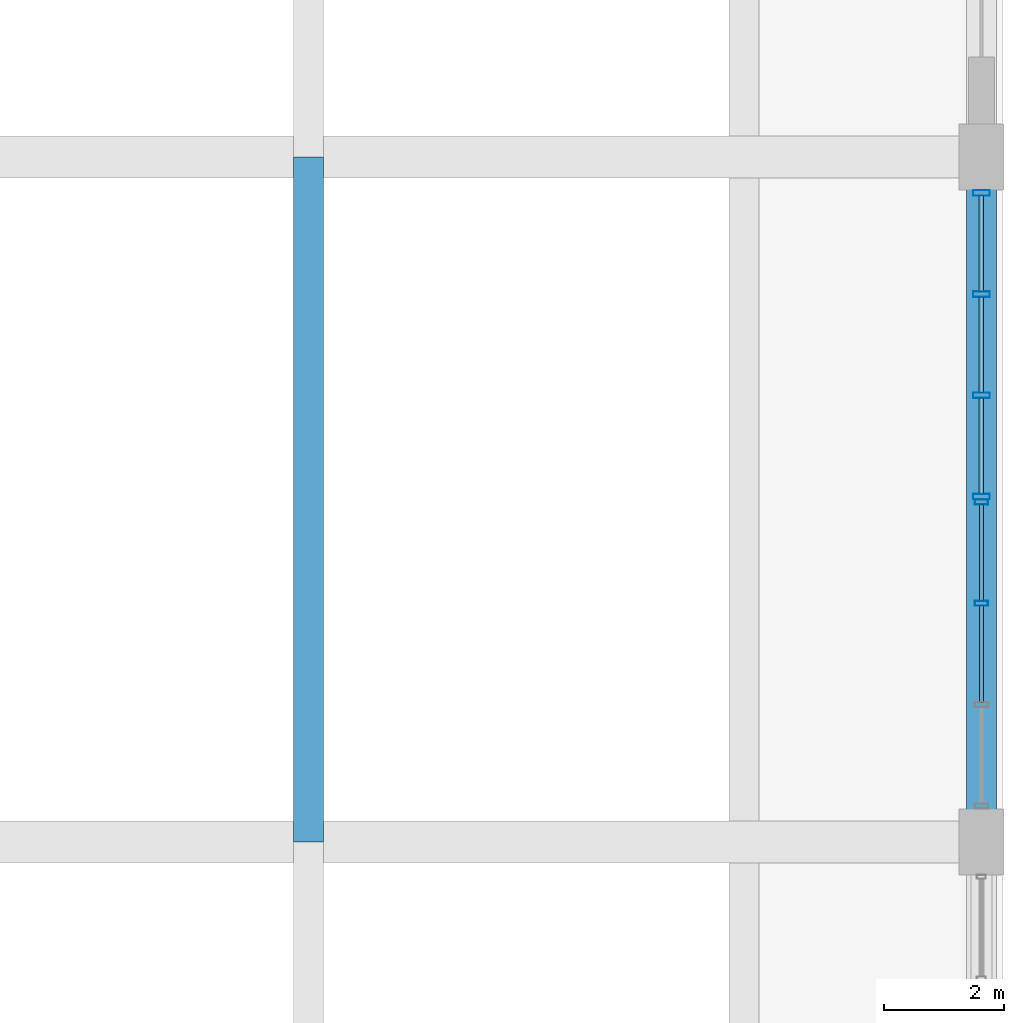
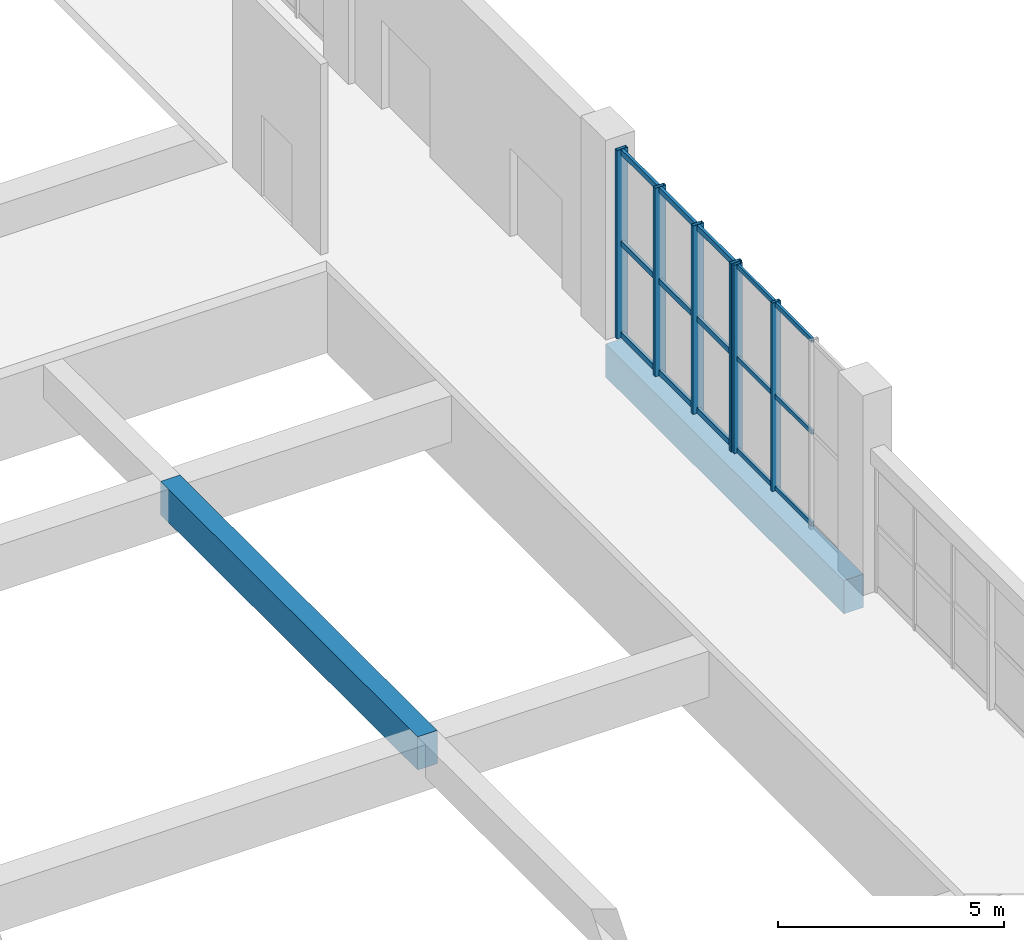
# One storey, part 67 of 113: 21 members, 2 beams, 2 elements without a shape of their own.
"""IFC4 building model written with IfcOpenShell, lengths in metres."""

from ifc_helpers import new_model, si_unit, direction, frame, origin, origin_2d, place, context, subcontext, project, spatial, rectangle, hollow_rectangle, extrude, material, layer, layer_set, material_profile, profile_set, type_object, element, aggregate, save


model = new_model("IFC4")

# Units and contexts
model_context = context("Model", 3, precision=1e-05, world=origin(), true_north=direction((0.0, 1.0)))
body_context = subcontext(model_context, "Body", "Model", "MODEL_VIEW")
ifc_project = project(units=[si_unit("LENGTHUNIT", "METRE"), si_unit("AREAUNIT", "SQUARE_METRE"), si_unit("VOLUMEUNIT", "CUBIC_METRE"), si_unit("PLANEANGLEUNIT", "RADIAN"), si_unit("MASSUNIT", "GRAM", prefix="KILO"), si_unit("POWERUNIT", "WATT"), si_unit("THERMODYNAMICTEMPERATUREUNIT", "KELVIN")], contexts=[model_context])

# Site, building, storey
site_placement = place(None, origin())
site = spatial("IfcSite", under=ifc_project, at=site_placement, CompositionType="ELEMENT")
building_placement = place(site_placement, origin())
building = spatial("IfcBuilding", under=site, at=building_placement, Name="Kelmbourne Parkland Aquatics Centre", CompositionType="ELEMENT")
storey_placement = place(building_placement, origin())
storey = spatial("IfcBuildingStorey", under=building, at=storey_placement, Name="L00", CompositionType="ELEMENT", Elevation=0.0)

# Beams
ifc_material_1 = material(Name="Concrete C40/50", Category="concrete")
ifc_material_profile_1 = material_profile(ifc_material_1, rectangle(XDim=0.5, YDim=0.89990234375, at=origin_2d()), Name="RC 500x900")
ifc_profile_set_1 = profile_set([ifc_material_profile_1], Name="Concrete C40/50")
beam_type = type_object("IfcBeamType", Name="BM-G03", PredefinedType="BEAM", material=ifc_profile_set_1)
beam_1_placement = place(storey_placement, frame((164.0, 69.199951171875, -0.72998046875), z_axis=(0.0, 1.0, 0.0), x_axis=(-1.0, 0.0, 0.0)))
element("IfcBeam", 1, at=beam_1_placement, inside=storey, type_object=beam_type, Name="Primary girder 10-11 Grid S (L00)", PredefinedType="BEAM", context=body_context, shape_type="SweptSolid", body=[
    extrude(rectangle(XDim=0.5, YDim=0.89990234375, at=origin_2d()), origin(), (0.0, 0.0, 1.0), 11.400146484375),
])
beam_2_placement = place(storey_placement, frame((175.199951171875, 69.705078125, -0.72998046875), z_axis=(0.0, 1.0, 0.0), x_axis=(-1.0, 0.0, 0.0)))
element("IfcBeam", 2, at=beam_2_placement, inside=storey, type_object=beam_type, Name="Primary girder 10-11 Grid T (L00)", PredefinedType="BEAM", context=body_context, shape_type="SweptSolid", body=[
    extrude(rectangle(XDim=0.5, YDim=0.89990234375, at=origin_2d()), origin(), (0.0, 0.0, 1.0), 10.56494140625),
])

# Curtain wall, members
ifc_material_2 = material(Name="Thermally broken anodised aluminium framing", Category="aluminium")
ifc_layer_1 = layer(ifc_material_2, 0.179931640625)
ifc_layer_set_1 = layer_set([ifc_layer_1], Name="Thermally broken anodised aluminium framing")
curtain_wall_type_1 = type_object("IfcCurtainWallType", Name="CW-09", PredefinedType="NOTDEFINED", material=ifc_layer_set_1)
curtain_wall_1_placement = place(storey_placement, origin())
curtain_wall_1 = element("IfcCurtainWall", 3, at=curtain_wall_1_placement, inside=storey, type_object=curtain_wall_type_1, Name="Facade curtain wall CW-L00-057", PredefinedType="NOTDEFINED")
ifc_material_profile_2 = material_profile(ifc_material_2, hollow_rectangle(XDim=0.0849609375, YDim=0.219970703125, WallThickness=0.0048828125, at=origin_2d()), Name="CW-M 85x220")
ifc_profile_set_2 = profile_set([ifc_material_profile_2], Name="Thermally broken anodised aluminium framing")
member_type_1 = type_object("IfcMemberType", Name="MB-MUL-3", PredefinedType="MULLION", material=ifc_profile_set_2)
member_1_placement = place(storey_placement, frame((175.199951171875, 73.169921875, 0.0), z_axis=(0.0, 0.0, 1.0), x_axis=(0.0, 1.0, 0.0)))
member_1 = element("IfcMember", 4, at=member_1_placement, type_object=member_type_1, Name="CW-L00-057 mullion 2", PredefinedType="MULLION", context=body_context, shape_type="SweptSolid", body=[
    extrude(hollow_rectangle(XDim=0.0849609375, YDim=0.219970703125, WallThickness=0.0048828125, at=origin_2d()), origin(), (0.0, 0.0, 1.0), 5.10009765625),
])
member_2_placement = place(storey_placement, frame((175.199951171875, 74.857421875, 0.0), z_axis=(0.0, 0.0, 1.0), x_axis=(0.0, 1.0, 0.0)))
member_2 = element("IfcMember", 5, at=member_2_placement, type_object=member_type_1, Name="CW-L00-057 mullion 3", PredefinedType="MULLION", context=body_context, shape_type="SweptSolid", body=[
    extrude(hollow_rectangle(XDim=0.0849609375, YDim=0.219970703125, WallThickness=0.0048828125, at=origin_2d()), origin(), (0.0, 0.0, 1.0), 5.10009765625),
])

ifc_layer_2 = layer(ifc_material_2, 0.179931640625)
ifc_layer_set_2 = layer_set([ifc_layer_2], Name="Thermally broken anodised aluminium framing")
curtain_wall_type_2 = type_object("IfcCurtainWallType", Name="CW-10", PredefinedType="NOTDEFINED", material=ifc_layer_set_2)
curtain_wall_2_placement = place(storey_placement, origin())
curtain_wall_2 = element("IfcCurtainWall", 6, at=curtain_wall_2_placement, inside=storey, type_object=curtain_wall_type_2, Name="Facade curtain wall CW-L00-058", PredefinedType="NOTDEFINED")
ifc_material_profile_3 = material_profile(ifc_material_2, hollow_rectangle(XDim=0.094970703125, YDim=0.280029296875, WallThickness=0.005615234375, at=origin_2d()), Name="CW-M 95x280")
ifc_profile_set_3 = profile_set([ifc_material_profile_3], Name="Thermally broken anodised aluminium framing")
member_type_2 = type_object("IfcMemberType", Name="MB-MUL-4", PredefinedType="MULLION", material=ifc_profile_set_3)
member_3_placement = place(storey_placement, frame((175.199951171875, 74.947509765625, 0.0), z_axis=(0.0, 0.0, 1.0), x_axis=(0.0, 1.0, 0.0)))
member_3 = element("IfcMember", 7, at=member_3_placement, type_object=member_type_2, Name="CW-L00-058 mullion 0", PredefinedType="MULLION", context=body_context, shape_type="SweptSolid", body=[
    extrude(hollow_rectangle(XDim=0.094970703125, YDim=0.280029296875, WallThickness=0.005615234375, at=origin_2d()), origin(), (0.0, 0.0, 1.0), 5.10009765625),
])
member_4_placement = place(storey_placement, frame((175.199951171875, 76.6318359375, 0.0), z_axis=(0.0, 0.0, 1.0), x_axis=(0.0, 1.0, 0.0)))
member_4 = element("IfcMember", 8, at=member_4_placement, type_object=member_type_2, Name="CW-L00-058 mullion 1", PredefinedType="MULLION", context=body_context, shape_type="SweptSolid", body=[
    extrude(hollow_rectangle(XDim=0.094970703125, YDim=0.280029296875, WallThickness=0.005615234375, at=origin_2d()), origin(), (0.0, 0.0, 1.0), 5.10009765625),
])
member_5_placement = place(storey_placement, frame((175.199951171875, 78.316162109375, 0.0), z_axis=(0.0, 0.0, 1.0), x_axis=(0.0, 1.0, 0.0)))
member_5 = element("IfcMember", 9, at=member_5_placement, type_object=member_type_2, Name="CW-L00-058 mullion 2", PredefinedType="MULLION", context=body_context, shape_type="SweptSolid", body=[
    extrude(hollow_rectangle(XDim=0.094970703125, YDim=0.280029296875, WallThickness=0.005615234375, at=origin_2d()), origin(), (0.0, 0.0, 1.0), 5.10009765625),
])
member_6_placement = place(storey_placement, frame((175.199951171875, 80.00048828125, 0.0), z_axis=(0.0, 0.0, 1.0), x_axis=(0.0, 1.0, 0.0)))
member_6 = element("IfcMember", 10, at=member_6_placement, type_object=member_type_2, Name="CW-L00-058 mullion 3", PredefinedType="MULLION", context=body_context, shape_type="SweptSolid", body=[
    extrude(hollow_rectangle(XDim=0.094970703125, YDim=0.280029296875, WallThickness=0.005615234375, at=origin_2d()), origin(), (0.0, 0.0, 1.0), 5.10009765625),
])

# Member
ifc_material_profile_4 = material_profile(ifc_material_2, hollow_rectangle(XDim=0.06494140625, YDim=0.1201171875, WallThickness=0.00341796875, at=origin_2d()), Name="CW-T 65x120")
ifc_profile_set_4 = profile_set([ifc_material_profile_4], Name="Thermally broken anodised aluminium framing")
member_type_3 = type_object("IfcMemberType", Name="MB-TRN-1", PredefinedType="USERDEFINED", material=ifc_profile_set_4)
member_7_placement = place(storey_placement, frame((175.199951171875, 71.520751953125, 0.06298828125), z_axis=(0.0, 1.0, 0.0), x_axis=(-1.0, 0.0, 0.0)))
member_7 = element("IfcMember", 11, at=member_7_placement, type_object=member_type_3, Name="CW-L00-057 transom 0-1", ObjectType="TRANSOM", PredefinedType="USERDEFINED", context=body_context, shape_type="SweptSolid", body=[
    extrude(hollow_rectangle(XDim=0.06494140625, YDim=0.1201171875, WallThickness=0.00341796875, at=origin_2d()), origin(), (0.0, 0.0, 1.0), 1.610595703125),
])

member_8_placement = place(storey_placement, frame((175.199951171875, 73.208251953125, 0.06298828125), z_axis=(0.0, 1.0, 0.0), x_axis=(-1.0, 0.0, 0.0)))
member_8 = element("IfcMember", 12, at=member_8_placement, type_object=member_type_3, Name="CW-L00-057 transom 0-2", ObjectType="TRANSOM", PredefinedType="USERDEFINED", context=body_context, shape_type="SweptSolid", body=[
    extrude(hollow_rectangle(XDim=0.06494140625, YDim=0.1201171875, WallThickness=0.00341796875, at=origin_2d()), origin(), (0.0, 0.0, 1.0), 1.61083984375),
])

member_9_placement = place(storey_placement, frame((175.199951171875, 71.520751953125, 2.550048828125), z_axis=(0.0, 1.0, 0.0), x_axis=(-1.0, 0.0, 0.0)))
member_9 = element("IfcMember", 13, at=member_9_placement, type_object=member_type_3, Name="CW-L00-057 transom 1-1", ObjectType="TRANSOM", PredefinedType="USERDEFINED", context=body_context, shape_type="SweptSolid", body=[
    extrude(hollow_rectangle(XDim=0.06494140625, YDim=0.1201171875, WallThickness=0.00341796875, at=origin_2d()), origin(), (0.0, 0.0, 1.0), 1.610595703125),
])

member_10_placement = place(storey_placement, frame((175.199951171875, 73.208251953125, 2.550048828125), z_axis=(0.0, 1.0, 0.0), x_axis=(-1.0, 0.0, 0.0)))
member_10 = element("IfcMember", 14, at=member_10_placement, type_object=member_type_3, Name="CW-L00-057 transom 1-2", ObjectType="TRANSOM", PredefinedType="USERDEFINED", context=body_context, shape_type="SweptSolid", body=[
    extrude(hollow_rectangle(XDim=0.06494140625, YDim=0.1201171875, WallThickness=0.00341796875, at=origin_2d()), origin(), (0.0, 0.0, 1.0), 1.61083984375),
])

member_11_placement = place(storey_placement, frame((175.199951171875, 71.520751953125, 5.037109375), z_axis=(0.0, 1.0, 0.0), x_axis=(-1.0, 0.0, 0.0)))
member_11 = element("IfcMember", 15, at=member_11_placement, type_object=member_type_3, Name="CW-L00-057 transom 2-1", ObjectType="TRANSOM", PredefinedType="USERDEFINED", context=body_context, shape_type="SweptSolid", body=[
    extrude(hollow_rectangle(XDim=0.06494140625, YDim=0.1201171875, WallThickness=0.00341796875, at=origin_2d()), origin(), (0.0, 0.0, 1.0), 1.610595703125),
])

member_12_placement = place(storey_placement, frame((175.199951171875, 73.208251953125, 5.037109375), z_axis=(0.0, 1.0, 0.0), x_axis=(-1.0, 0.0, 0.0)))
member_12 = element("IfcMember", 16, at=member_12_placement, type_object=member_type_3, Name="CW-L00-057 transom 2-2", ObjectType="TRANSOM", PredefinedType="USERDEFINED", context=body_context, shape_type="SweptSolid", body=[
    extrude(hollow_rectangle(XDim=0.06494140625, YDim=0.1201171875, WallThickness=0.00341796875, at=origin_2d()), origin(), (0.0, 0.0, 1.0), 1.61083984375),
])

aggregate(curtain_wall_1, [member_1, member_2, member_7, member_8, member_9, member_10, member_11, member_12])

ifc_material_profile_5 = material_profile(ifc_material_2, hollow_rectangle(XDim=0.074951171875, YDim=0.14990234375, WallThickness=0.00390625, at=origin_2d()), Name="CW-T 75x150")
ifc_profile_set_5 = profile_set([ifc_material_profile_5], Name="Thermally broken anodised aluminium framing")
member_type_4 = type_object("IfcMemberType", Name="MB-TRN-2", PredefinedType="USERDEFINED", material=ifc_profile_set_5)
member_13_placement = place(storey_placement, frame((175.199951171875, 74.990966796875, 0.077880859375), z_axis=(0.0, 1.0, 0.0), x_axis=(-1.0, 0.0, 0.0)))
member_13 = element("IfcMember", 17, at=member_13_placement, type_object=member_type_4, Name="CW-L00-058 transom 0-0", ObjectType="TRANSOM", PredefinedType="USERDEFINED", context=body_context, shape_type="SweptSolid", body=[
    extrude(hollow_rectangle(XDim=0.074951171875, YDim=0.14990234375, WallThickness=0.00390625, at=origin_2d()), origin(), (0.0, 0.0, 1.0), 1.597412109375),
])

member_14_placement = place(storey_placement, frame((175.199951171875, 76.67529296875, 0.077880859375), z_axis=(0.0, 1.0, 0.0), x_axis=(-1.0, 0.0, 0.0)))
member_14 = element("IfcMember", 18, at=member_14_placement, type_object=member_type_4, Name="CW-L00-058 transom 0-1", ObjectType="TRANSOM", PredefinedType="USERDEFINED", context=body_context, shape_type="SweptSolid", body=[
    extrude(hollow_rectangle(XDim=0.074951171875, YDim=0.14990234375, WallThickness=0.00390625, at=origin_2d()), origin(), (0.0, 0.0, 1.0), 1.597412109375),
])

member_15_placement = place(storey_placement, frame((175.199951171875, 78.359619140625, 0.077880859375), z_axis=(0.0, 1.0, 0.0), x_axis=(-1.0, 0.0, 0.0)))
member_15 = element("IfcMember", 19, at=member_15_placement, type_object=member_type_4, Name="CW-L00-058 transom 0-2", ObjectType="TRANSOM", PredefinedType="USERDEFINED", context=body_context, shape_type="SweptSolid", body=[
    extrude(hollow_rectangle(XDim=0.074951171875, YDim=0.14990234375, WallThickness=0.00390625, at=origin_2d()), origin(), (0.0, 0.0, 1.0), 1.597412109375),
])

member_16_placement = place(storey_placement, frame((175.199951171875, 74.990966796875, 2.550048828125), z_axis=(0.0, 1.0, 0.0), x_axis=(-1.0, 0.0, 0.0)))
member_16 = element("IfcMember", 20, at=member_16_placement, type_object=member_type_4, Name="CW-L00-058 transom 1-0", ObjectType="TRANSOM", PredefinedType="USERDEFINED", context=body_context, shape_type="SweptSolid", body=[
    extrude(hollow_rectangle(XDim=0.074951171875, YDim=0.14990234375, WallThickness=0.00390625, at=origin_2d()), origin(), (0.0, 0.0, 1.0), 1.597412109375),
])

member_17_placement = place(storey_placement, frame((175.199951171875, 76.67529296875, 2.550048828125), z_axis=(0.0, 1.0, 0.0), x_axis=(-1.0, 0.0, 0.0)))
member_17 = element("IfcMember", 21, at=member_17_placement, type_object=member_type_4, Name="CW-L00-058 transom 1-1", ObjectType="TRANSOM", PredefinedType="USERDEFINED", context=body_context, shape_type="SweptSolid", body=[
    extrude(hollow_rectangle(XDim=0.074951171875, YDim=0.14990234375, WallThickness=0.00390625, at=origin_2d()), origin(), (0.0, 0.0, 1.0), 1.597412109375),
])

member_18_placement = place(storey_placement, frame((175.199951171875, 78.359619140625, 2.550048828125), z_axis=(0.0, 1.0, 0.0), x_axis=(-1.0, 0.0, 0.0)))
member_18 = element("IfcMember", 22, at=member_18_placement, type_object=member_type_4, Name="CW-L00-058 transom 1-2", ObjectType="TRANSOM", PredefinedType="USERDEFINED", context=body_context, shape_type="SweptSolid", body=[
    extrude(hollow_rectangle(XDim=0.074951171875, YDim=0.14990234375, WallThickness=0.00390625, at=origin_2d()), origin(), (0.0, 0.0, 1.0), 1.597412109375),
])

member_19_placement = place(storey_placement, frame((175.199951171875, 74.990966796875, 5.02197265625), z_axis=(0.0, 1.0, 0.0), x_axis=(-1.0, 0.0, 0.0)))
member_19 = element("IfcMember", 23, at=member_19_placement, type_object=member_type_4, Name="CW-L00-058 transom 2-0", ObjectType="TRANSOM", PredefinedType="USERDEFINED", context=body_context, shape_type="SweptSolid", body=[
    extrude(hollow_rectangle(XDim=0.074951171875, YDim=0.14990234375, WallThickness=0.00390625, at=origin_2d()), origin(), (0.0, 0.0, 1.0), 1.597412109375),
])

member_20_placement = place(storey_placement, frame((175.199951171875, 76.67529296875, 5.02197265625), z_axis=(0.0, 1.0, 0.0), x_axis=(-1.0, 0.0, 0.0)))
member_20 = element("IfcMember", 24, at=member_20_placement, type_object=member_type_4, Name="CW-L00-058 transom 2-1", ObjectType="TRANSOM", PredefinedType="USERDEFINED", context=body_context, shape_type="SweptSolid", body=[
    extrude(hollow_rectangle(XDim=0.074951171875, YDim=0.14990234375, WallThickness=0.00390625, at=origin_2d()), origin(), (0.0, 0.0, 1.0), 1.597412109375),
])

member_21_placement = place(storey_placement, frame((175.199951171875, 78.359619140625, 5.02197265625), z_axis=(0.0, 1.0, 0.0), x_axis=(-1.0, 0.0, 0.0)))
member_21 = element("IfcMember", 25, at=member_21_placement, type_object=member_type_4, Name="CW-L00-058 transom 2-2", ObjectType="TRANSOM", PredefinedType="USERDEFINED", context=body_context, shape_type="SweptSolid", body=[
    extrude(hollow_rectangle(XDim=0.074951171875, YDim=0.14990234375, WallThickness=0.00390625, at=origin_2d()), origin(), (0.0, 0.0, 1.0), 1.597412109375),
])

aggregate(curtain_wall_2, [member_3, member_4, member_5, member_6, member_13, member_14, member_15, member_16, member_17, member_18, member_19, member_20, member_21])

save(model, "model.ifc")
